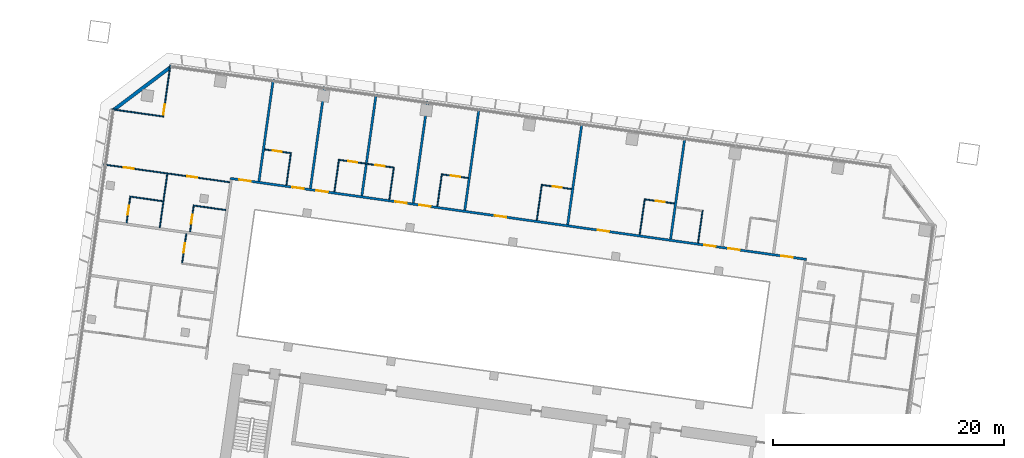
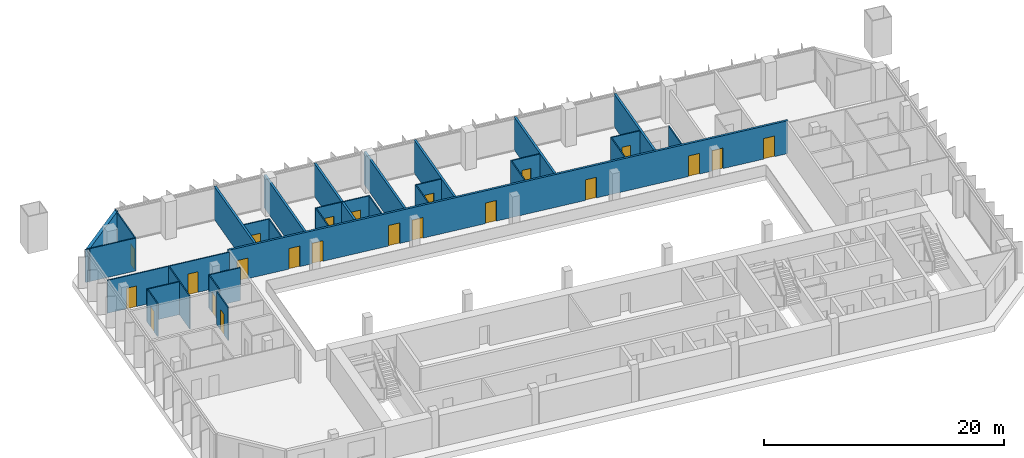
# One storey, part 16 of 25: 30 walls, 22 doors, 22 openings.
"""IFC4 building model written with IfcOpenShell, lengths in metres."""

from ifc_helpers import new_model, si_unit, direction, frame, frame_2d, origin, place, context, subcontext, project, spatial, rectangle, extrude, material, layer, layer_set, type_object, element, fill, save


model = new_model("IFC4")

# Units and contexts
model_context = context("Model", 3, precision=1e-05, world=origin(), true_north=direction((0.0, 1.0)))
body_context = subcontext(model_context, "Body", "Model", "MODEL_VIEW")
ifc_project = project(units=[si_unit("LENGTHUNIT", "METRE"), si_unit("AREAUNIT", "SQUARE_METRE"), si_unit("VOLUMEUNIT", "CUBIC_METRE"), si_unit("PLANEANGLEUNIT", "RADIAN"), si_unit("MASSUNIT", "GRAM", prefix="KILO")], contexts=[model_context])

# Site, building, storey
site_placement = place(None, origin())
site = spatial("IfcSite", under=ifc_project, at=site_placement, CompositionType="ELEMENT")
building_placement = place(site_placement, origin())
building = spatial("IfcBuilding", under=site, at=building_placement, Name="Mirante Cascada Hotel Towers", CompositionType="ELEMENT")
storey_placement = place(building_placement, frame((0.0, 0.0, 73.7)))
storey = spatial("IfcBuildingStorey", under=building, at=storey_placement, Name="L15", CompositionType="ELEMENT", Elevation=73.7)

# Wall, openings, doors
ifc_material_1 = material(Name="Fire-rated plasterboard on metal studs")
ifc_layer_1 = layer(ifc_material_1, 0.2)
ifc_layer_set_1 = layer_set([ifc_layer_1], Name="Compartment wall 200 EI 120")
wall_type_1 = type_object("IfcWallType", Name="Compartment wall 200 EI 120", PredefinedType="PARTITIONING", material=ifc_layer_set_1)
wall_1_placement = place(storey_placement, frame((-89.0146, 16.3922, 0.0), z_axis=(0.0, 0.0, 1.0), x_axis=(0.9902681, -0.1391727, 0.0)))
wall_1 = element("IfcWall", 1, at=wall_1_placement, inside=storey, type_object=wall_type_1, Name="Wall 1-L15-19", PredefinedType="PARTITIONING", context=body_context, shape_type="SweptSolid", body=[
    extrude(rectangle(XDim=50.4, YDim=0.2, at=frame_2d((25.2, 0.0))), origin(), (0.0, 0.0, 1.0), 3.35),
])
opening_1_placement = place(wall_1_placement, frame((48.2, 0.0, 0.0)))
opening_1 = element("IfcOpeningElement", 2, at=opening_1_placement, cuts=wall_1, Name="Opening D1-L15-11", PredefinedType="OPENING", context=body_context, shape_type="SweptSolid", body=[
    extrude(rectangle(XDim=1.0, YDim=2.1, at=frame_2d((0.5, 1.05))), frame((0.0, 0.1, 0.0), z_axis=(0.0, -1.0, 0.0), x_axis=(1.0, 0.0, 0.0)), (0.0, 0.0, 1.0), 0.2),
])
opening_2_placement = place(wall_1_placement, frame((43.55, 0.0, 0.0)))
opening_2 = element("IfcOpeningElement", 3, at=opening_2_placement, cuts=wall_1, Name="Opening D1-L15-12", PredefinedType="OPENING", context=body_context, shape_type="SweptSolid", body=[
    extrude(rectangle(XDim=1.0, YDim=2.1, at=frame_2d((0.5, 1.05))), frame((0.0, 0.1, 0.0), z_axis=(0.0, -1.0, 0.0), x_axis=(1.0, 0.0, 0.0)), (0.0, 0.0, 1.0), 0.2),
])
opening_3_placement = place(wall_1_placement, frame((41.45, 0.0, 0.0)))
opening_3 = element("IfcOpeningElement", 4, at=opening_3_placement, cuts=wall_1, Name="Opening D1-L15-13", PredefinedType="OPENING", context=body_context, shape_type="SweptSolid", body=[
    extrude(rectangle(XDim=1.0, YDim=2.1, at=frame_2d((0.5, 1.05))), frame((0.0, 0.1, 0.0), z_axis=(0.0, -1.0, 0.0), x_axis=(1.0, 0.0, 0.0)), (0.0, 0.0, 1.0), 0.2),
])
opening_4_placement = place(wall_1_placement, frame((32.15, 0.0, 0.0)))
opening_4 = element("IfcOpeningElement", 5, at=opening_4_placement, cuts=wall_1, Name="Opening D1-L15-14", PredefinedType="OPENING", context=body_context, shape_type="SweptSolid", body=[
    extrude(rectangle(XDim=1.0, YDim=2.1, at=frame_2d((0.5, 1.05))), frame((0.0, 0.1, 0.0), z_axis=(0.0, -1.0, 0.0), x_axis=(1.0, 0.0, 0.0)), (0.0, 0.0, 1.0), 0.2),
])
opening_5_placement = place(wall_1_placement, frame((23.15, 0.0, 0.0)))
opening_5 = element("IfcOpeningElement", 6, at=opening_5_placement, cuts=wall_1, Name="Opening D1-L15-15", PredefinedType="OPENING", context=body_context, shape_type="SweptSolid", body=[
    extrude(rectangle(XDim=1.0, YDim=2.1, at=frame_2d((0.5, 1.05))), frame((0.0, 0.1, 0.0), z_axis=(0.0, -1.0, 0.0), x_axis=(1.0, 0.0, 0.0)), (0.0, 0.0, 1.0), 0.2),
])
opening_6_placement = place(wall_1_placement, frame((16.55, 0.0, 0.0)))
opening_6 = element("IfcOpeningElement", 7, at=opening_6_placement, cuts=wall_1, Name="Opening D1-L15-16", PredefinedType="OPENING", context=body_context, shape_type="SweptSolid", body=[
    extrude(rectangle(XDim=1.0, YDim=2.1, at=frame_2d((0.5, 1.05))), frame((0.0, 0.1, 0.0), z_axis=(0.0, -1.0, 0.0), x_axis=(1.0, 0.0, 0.0)), (0.0, 0.0, 1.0), 0.2),
])
opening_7_placement = place(wall_1_placement, frame((14.45, 0.0, 0.0)))
opening_7 = element("IfcOpeningElement", 8, at=opening_7_placement, cuts=wall_1, Name="Opening D1-L15-17", PredefinedType="OPENING", context=body_context, shape_type="SweptSolid", body=[
    extrude(rectangle(XDim=1.0, YDim=2.1, at=frame_2d((0.5, 1.05))), frame((0.0, 0.1, 0.0), z_axis=(0.0, -1.0, 0.0), x_axis=(1.0, 0.0, 0.0)), (0.0, 0.0, 1.0), 0.2),
])
opening_8_placement = place(wall_1_placement, frame((7.55, 0.0, 0.0)))
opening_8 = element("IfcOpeningElement", 9, at=opening_8_placement, cuts=wall_1, Name="Opening D1-L15-18", PredefinedType="OPENING", context=body_context, shape_type="SweptSolid", body=[
    extrude(rectangle(XDim=1.0, YDim=2.1, at=frame_2d((0.5, 1.05))), frame((0.0, 0.1, 0.0), z_axis=(0.0, -1.0, 0.0), x_axis=(1.0, 0.0, 0.0)), (0.0, 0.0, 1.0), 0.2),
])
opening_9_placement = place(wall_1_placement, frame((5.45, 0.0, 0.0)))
opening_9 = element("IfcOpeningElement", 10, at=opening_9_placement, cuts=wall_1, Name="Opening D1-L15-19", PredefinedType="OPENING", context=body_context, shape_type="SweptSolid", body=[
    extrude(rectangle(XDim=1.0, YDim=2.1, at=frame_2d((0.5, 1.05))), frame((0.0, 0.1, 0.0), z_axis=(0.0, -1.0, 0.0), x_axis=(1.0, 0.0, 0.0)), (0.0, 0.0, 1.0), 0.2),
])
opening_10_placement = place(wall_1_placement, frame((0.8, 0.0, 0.0)))
opening_10 = element("IfcOpeningElement", 11, at=opening_10_placement, cuts=wall_1, Name="Opening D1-L15-20", PredefinedType="OPENING", context=body_context, shape_type="SweptSolid", body=[
    extrude(rectangle(XDim=1.0, YDim=2.1, at=frame_2d((0.5, 1.05))), frame((0.0, 0.1, 0.0), z_axis=(0.0, -1.0, 0.0), x_axis=(1.0, 0.0, 0.0)), (0.0, 0.0, 1.0), 0.2),
])
ifc_material_2 = material(Name="Fire-rated timber door leaf", Category="wood")
door_type_1 = type_object("IfcDoorType", Name="Entrance door DG1 1000x2100 EI 60", OperationType="SINGLE_SWING_LEFT", PredefinedType="DOOR", material=ifc_material_2)
door_1_placement = place(opening_1_placement, origin())
door_1 = element("IfcDoor", 12, at=door_1_placement, inside=storey, type_object=door_type_1, Name="Door D1-L15-11", OperationType="SINGLE_SWING_LEFT", OverallHeight=2.1, OverallWidth=1.0, PredefinedType="DOOR", context=body_context, shape_type="SweptSolid", body=[
    extrude(rectangle(XDim=1.0, YDim=2.1, at=frame_2d((0.5, 1.05))), frame((0.0, 0.025, 0.0), z_axis=(0.0, -1.0, 0.0), x_axis=(1.0, 0.0, 0.0)), (0.0, 0.0, 1.0), 0.05),
])
fill(opening_1, door_1)
door_2_placement = place(opening_2_placement, origin())
door_2 = element("IfcDoor", 13, at=door_2_placement, inside=storey, type_object=door_type_1, Name="Door D1-L15-12", OperationType="SINGLE_SWING_LEFT", OverallHeight=2.1, OverallWidth=1.0, PredefinedType="DOOR", context=body_context, shape_type="SweptSolid", body=[
    extrude(rectangle(XDim=1.0, YDim=2.1, at=frame_2d((0.5, 1.05))), frame((0.0, 0.025, 0.0), z_axis=(0.0, -1.0, 0.0), x_axis=(1.0, 0.0, 0.0)), (0.0, 0.0, 1.0), 0.05),
])
fill(opening_2, door_2)
door_3_placement = place(opening_3_placement, origin())
door_3 = element("IfcDoor", 14, at=door_3_placement, inside=storey, type_object=door_type_1, Name="Door D1-L15-13", OperationType="SINGLE_SWING_LEFT", OverallHeight=2.1, OverallWidth=1.0, PredefinedType="DOOR", context=body_context, shape_type="SweptSolid", body=[
    extrude(rectangle(XDim=1.0, YDim=2.1, at=frame_2d((0.5, 1.05))), frame((0.0, 0.025, 0.0), z_axis=(0.0, -1.0, 0.0), x_axis=(1.0, 0.0, 0.0)), (0.0, 0.0, 1.0), 0.05),
])
fill(opening_3, door_3)
door_4_placement = place(opening_4_placement, origin())
door_4 = element("IfcDoor", 15, at=door_4_placement, inside=storey, type_object=door_type_1, Name="Door D1-L15-14", OperationType="SINGLE_SWING_LEFT", OverallHeight=2.1, OverallWidth=1.0, PredefinedType="DOOR", context=body_context, shape_type="SweptSolid", body=[
    extrude(rectangle(XDim=1.0, YDim=2.1, at=frame_2d((0.5, 1.05))), frame((0.0, 0.025, 0.0), z_axis=(0.0, -1.0, 0.0), x_axis=(1.0, 0.0, 0.0)), (0.0, 0.0, 1.0), 0.05),
])
fill(opening_4, door_4)
door_5_placement = place(opening_5_placement, origin())
door_5 = element("IfcDoor", 16, at=door_5_placement, inside=storey, type_object=door_type_1, Name="Door D1-L15-15", OperationType="SINGLE_SWING_LEFT", OverallHeight=2.1, OverallWidth=1.0, PredefinedType="DOOR", context=body_context, shape_type="SweptSolid", body=[
    extrude(rectangle(XDim=1.0, YDim=2.1, at=frame_2d((0.5, 1.05))), frame((0.0, 0.025, 0.0), z_axis=(0.0, -1.0, 0.0), x_axis=(1.0, 0.0, 0.0)), (0.0, 0.0, 1.0), 0.05),
])
fill(opening_5, door_5)
door_6_placement = place(opening_6_placement, origin())
door_6 = element("IfcDoor", 17, at=door_6_placement, inside=storey, type_object=door_type_1, Name="Door D1-L15-16", OperationType="SINGLE_SWING_LEFT", OverallHeight=2.1, OverallWidth=1.0, PredefinedType="DOOR", context=body_context, shape_type="SweptSolid", body=[
    extrude(rectangle(XDim=1.0, YDim=2.1, at=frame_2d((0.5, 1.05))), frame((0.0, 0.025, 0.0), z_axis=(0.0, -1.0, 0.0), x_axis=(1.0, 0.0, 0.0)), (0.0, 0.0, 1.0), 0.05),
])
fill(opening_6, door_6)
door_7_placement = place(opening_7_placement, origin())
door_7 = element("IfcDoor", 18, at=door_7_placement, inside=storey, type_object=door_type_1, Name="Door D1-L15-17", OperationType="SINGLE_SWING_LEFT", OverallHeight=2.1, OverallWidth=1.0, PredefinedType="DOOR", context=body_context, shape_type="SweptSolid", body=[
    extrude(rectangle(XDim=1.0, YDim=2.1, at=frame_2d((0.5, 1.05))), frame((0.0, 0.025, 0.0), z_axis=(0.0, -1.0, 0.0), x_axis=(1.0, 0.0, 0.0)), (0.0, 0.0, 1.0), 0.05),
])
fill(opening_7, door_7)
door_8_placement = place(opening_8_placement, origin())
door_8 = element("IfcDoor", 19, at=door_8_placement, inside=storey, type_object=door_type_1, Name="Door D1-L15-18", OperationType="SINGLE_SWING_LEFT", OverallHeight=2.1, OverallWidth=1.0, PredefinedType="DOOR", context=body_context, shape_type="SweptSolid", body=[
    extrude(rectangle(XDim=1.0, YDim=2.1, at=frame_2d((0.5, 1.05))), frame((0.0, 0.025, 0.0), z_axis=(0.0, -1.0, 0.0), x_axis=(1.0, 0.0, 0.0)), (0.0, 0.0, 1.0), 0.05),
])
fill(opening_8, door_8)
door_9_placement = place(opening_9_placement, origin())
door_9 = element("IfcDoor", 20, at=door_9_placement, inside=storey, type_object=door_type_1, Name="Door D1-L15-19", OperationType="SINGLE_SWING_LEFT", OverallHeight=2.1, OverallWidth=1.0, PredefinedType="DOOR", context=body_context, shape_type="SweptSolid", body=[
    extrude(rectangle(XDim=1.0, YDim=2.1, at=frame_2d((0.5, 1.05))), frame((0.0, 0.025, 0.0), z_axis=(0.0, -1.0, 0.0), x_axis=(1.0, 0.0, 0.0)), (0.0, 0.0, 1.0), 0.05),
])
fill(opening_9, door_9)
door_10_placement = place(opening_10_placement, origin())
door_10 = element("IfcDoor", 21, at=door_10_placement, inside=storey, type_object=door_type_1, Name="Door D1-L15-20", OperationType="SINGLE_SWING_LEFT", OverallHeight=2.1, OverallWidth=1.0, PredefinedType="DOOR", context=body_context, shape_type="SweptSolid", body=[
    extrude(rectangle(XDim=1.0, YDim=2.1, at=frame_2d((0.5, 1.05))), frame((0.0, 0.025, 0.0), z_axis=(0.0, -1.0, 0.0), x_axis=(1.0, 0.0, 0.0)), (0.0, 0.0, 1.0), 0.05),
])
fill(opening_10, door_10)

# Walls
wall_2_placement = place(storey_placement, frame((-49.6367, 19.9465, 0.0), z_axis=(0.0, 0.0, 1.0), x_axis=(-0.1391794, -0.9902672, 0.0)))
element("IfcWall", 22, at=wall_2_placement, inside=storey, type_object=wall_type_1, Name="Wall 1-L15-39", PredefinedType="PARTITIONING", context=body_context, shape_type="SweptSolid", body=[
    extrude(rectangle(XDim=8.9, YDim=0.2, at=frame_2d((4.45, 0.0))), origin(), (0.0, 0.0, 1.0), 3.35),
])
wall_3_placement = place(storey_placement, frame((-58.5492, 21.199, 0.0), z_axis=(0.0, 0.0, 1.0), x_axis=(-0.13917, -0.9902685, 0.0)))
element("IfcWall", 23, at=wall_3_placement, inside=storey, type_object=wall_type_1, Name="Wall 1-L15-41", PredefinedType="PARTITIONING", context=body_context, shape_type="SweptSolid", body=[
    extrude(rectangle(XDim=8.8999, YDim=0.2, at=frame_2d((4.45, 0.0))), origin(), (0.0, 0.0, 1.0), 3.35),
])
for number, where, z_axis, x_axis, name in (
    (24, (-67.4616, 22.4516, 0.0), (0.0, 0.0, 1.0), (-0.1391684, -0.9902687, 0.0), "Wall 1-L15-43"),
    (25, (-71.9178, 23.0779, 0.0), (0.0, 0.0, 1.0), (-0.1391684, -0.9902687, 0.0), "Wall 1-L15-45"),
    (26, (-76.374, 23.7042, 0.0), (0.0, 0.0, 1.0), (-0.1391684, -0.9902687, 0.0), "Wall 1-L15-47"),
):
    element("IfcWall", number, at=place(storey_placement, frame(where, z_axis=z_axis, x_axis=x_axis)), inside=storey, type_object=wall_type_1, Name=name, PredefinedType="PARTITIONING", context=body_context, shape_type="SweptSolid", body=[
        extrude(rectangle(XDim=8.9, YDim=0.2, at=frame_2d((4.45, 0.0))), origin(), (0.0, 0.0, 1.0), 3.35),
    ])
wall_4_placement = place(storey_placement, frame((-80.8302, 24.3304, 0.0), z_axis=(0.0, 0.0, 1.0), x_axis=(-0.13917, -0.9902685, 0.0)))
element("IfcWall", 27, at=wall_4_placement, inside=storey, type_object=wall_type_1, Name="Wall 1-L15-49", PredefinedType="PARTITIONING", context=body_context, shape_type="SweptSolid", body=[
    extrude(rectangle(XDim=8.8999, YDim=0.2, at=frame_2d((4.45, 0.0))), origin(), (0.0, 0.0, 1.0), 3.35),
])
wall_5_placement = place(storey_placement, frame((-85.2864, 24.9567, 0.0), z_axis=(0.0, 0.0, 1.0), x_axis=(-0.1391684, -0.9902687, 0.0)))
element("IfcWall", 28, at=wall_5_placement, inside=storey, type_object=wall_type_1, Name="Wall 1-L15-51", PredefinedType="PARTITIONING", context=body_context, shape_type="SweptSolid", body=[
    extrude(rectangle(XDim=8.9, YDim=0.2, at=frame_2d((4.45, 0.0))), origin(), (0.0, 0.0, 1.0), 3.35),
])
ifc_material_3 = material(Name="Plasterboard on metal studs")
ifc_layer_2 = layer(ifc_material_3, 0.1)
ifc_layer_set_2 = layer_set([ifc_layer_2], Name="Partition 100")
wall_type_2 = type_object("IfcWallType", Name="Partition 100", PredefinedType="PARTITIONING", material=ifc_layer_set_2)
wall_6_placement = place(storey_placement, frame((-92.2219, 14.0491, 0.0), z_axis=(0.0, 0.0, 1.0), x_axis=(0.9902697, -0.1391613, 0.0)))
element("IfcWall", 29, at=wall_6_placement, inside=storey, type_object=wall_type_2, Name="Wall 1-L15-15", PredefinedType="PARTITIONING", context=body_context, shape_type="SweptSolid", body=[
    extrude(rectangle(XDim=2.8499, YDim=0.1, at=frame_2d((1.425, 0.0))), origin(), (0.0, 0.0, 1.0), 3.35),
])
wall_7_placement = place(storey_placement, frame((-94.8461, 14.4179, 0.0), z_axis=(0.0, 0.0, 1.0), x_axis=(-0.9902683, 0.1391714, 0.0)))
element("IfcWall", 30, at=wall_7_placement, inside=storey, type_object=wall_type_2, Name="Wall 1-L15-16", PredefinedType="PARTITIONING", context=body_context, shape_type="SweptSolid", body=[
    extrude(rectangle(XDim=2.9, YDim=0.1, at=frame_2d((1.45, 0.0))), origin(), (0.0, 0.0, 1.0), 3.35),
])

# Wall, openings, doors
wall_8_placement = place(storey_placement, frame((-89.061, 16.0622, 0.0), z_axis=(0.0, 0.0, 1.0), x_axis=(-0.9902682, 0.1391721, 0.0)))
wall_8 = element("IfcWall", 31, at=wall_8_placement, inside=storey, type_object=wall_type_2, Name="Wall 1-L15-18", PredefinedType="PARTITIONING", context=body_context, shape_type="SweptSolid", body=[
    extrude(rectangle(XDim=11.0001, YDim=0.1, at=frame_2d((5.5, 0.0))), origin(), (0.0, 0.0, 1.0), 3.35),
])
opening_11_placement = place(wall_8_placement, frame((2.825, 0.0, 0.0)))
opening_11 = element("IfcOpeningElement", 32, at=opening_11_placement, cuts=wall_8, Name="Opening D1-L15-09", PredefinedType="OPENING", context=body_context, shape_type="SweptSolid", body=[
    extrude(rectangle(XDim=0.9, YDim=2.1, at=frame_2d((0.45, 1.05))), frame((0.0, 0.05, 0.0), z_axis=(0.0, -1.0, 0.0), x_axis=(1.0, 0.0, 0.0)), (0.0, 0.0, 1.0), 0.1),
])
opening_12_placement = place(wall_8_placement, frame((8.375, 0.0, 0.0)))
opening_12 = element("IfcOpeningElement", 33, at=opening_12_placement, cuts=wall_8, Name="Opening D1-L15-10", PredefinedType="OPENING", context=body_context, shape_type="SweptSolid", body=[
    extrude(rectangle(XDim=0.9, YDim=2.1, at=frame_2d((0.45, 1.05))), frame((0.0, 0.05, 0.0), z_axis=(0.0, -1.0, 0.0), x_axis=(1.0, 0.0, 0.0)), (0.0, 0.0, 1.0), 0.1),
])
ifc_material_4 = material(Name="Timber door leaf", Category="wood")
door_type_2 = type_object("IfcDoorType", Name="Room door DG3 900x2100", OperationType="SINGLE_SWING_LEFT", PredefinedType="DOOR", material=ifc_material_4)
door_11_placement = place(opening_11_placement, frame((0.9, 0.0, 0.0), z_axis=(0.0, 0.0, 1.0), x_axis=(-1.0, 0.0, 0.0)))
door_11 = element("IfcDoor", 34, at=door_11_placement, inside=storey, type_object=door_type_2, Name="Door D1-L15-09", OperationType="SINGLE_SWING_RIGHT", OverallHeight=2.1, OverallWidth=0.9, PredefinedType="DOOR", context=body_context, shape_type="SweptSolid", body=[
    extrude(rectangle(XDim=0.9, YDim=2.1, at=frame_2d((0.45, 1.05))), frame((0.0, 0.025, 0.0), z_axis=(0.0, -1.0, 0.0), x_axis=(1.0, 0.0, 0.0)), (0.0, 0.0, 1.0), 0.05),
])
fill(opening_11, door_11)
door_12_placement = place(opening_12_placement, frame((0.9, 0.0, 0.0), z_axis=(0.0, 0.0, 1.0), x_axis=(-1.0, 0.0, 0.0)))
door_12 = element("IfcDoor", 35, at=door_12_placement, inside=storey, type_object=door_type_2, Name="Door D1-L15-10", OperationType="SINGLE_SWING_RIGHT", OverallHeight=2.1, OverallWidth=0.9, PredefinedType="DOOR", context=body_context, shape_type="SweptSolid", body=[
    extrude(rectangle(XDim=0.9, YDim=2.1, at=frame_2d((0.45, 1.05))), frame((0.0, 0.025, 0.0), z_axis=(0.0, -1.0, 0.0), x_axis=(1.0, 0.0, 0.0)), (0.0, 0.0, 1.0), 0.05),
])
fill(opening_12, door_12)

# Wall, opening, door
wall_9_placement = place(storey_placement, frame((-68.4096, 16.4249, 0.0), z_axis=(0.0, 0.0, 1.0), x_axis=(-0.9902705, 0.1391561, 0.0)))
wall_9 = element("IfcWall", 36, at=wall_9_placement, inside=storey, type_object=wall_type_2, Name="Wall 1-L15-22", PredefinedType="PARTITIONING", context=body_context, shape_type="SweptSolid", body=[
    extrude(rectangle(XDim=2.25, YDim=0.1, at=frame_2d((1.125, 0.0))), origin(), (0.0, 0.0, 1.0), 3.35),
])
opening_13_placement = place(wall_9_placement, frame((0.7, 0.0, 0.0)))
opening_13 = element("IfcOpeningElement", 37, at=opening_13_placement, cuts=wall_9, Name="Opening D1-L15-23", PredefinedType="OPENING", context=body_context, shape_type="SweptSolid", body=[
    extrude(rectangle(XDim=0.8, YDim=2.1, at=frame_2d((0.4, 1.05))), frame((0.0, 0.05, 0.0), z_axis=(0.0, -1.0, 0.0), x_axis=(1.0, 0.0, 0.0)), (0.0, 0.0, 1.0), 0.1),
])
ifc_material_5 = material(Name="Timber door leaf", Category="wood")
door_type_3 = type_object("IfcDoorType", Name="Bathroom door DG4 800x2100", OperationType="SINGLE_SWING_LEFT", PredefinedType="DOOR", material=ifc_material_5)
door_13_placement = place(opening_13_placement, frame((0.8, 0.0, 0.0), z_axis=(0.0, 0.0, 1.0), x_axis=(-1.0, 0.0, 0.0)))
door_13 = element("IfcDoor", 38, at=door_13_placement, inside=storey, type_object=door_type_3, Name="Door D1-L15-23", OperationType="SINGLE_SWING_RIGHT", OverallHeight=2.1, OverallWidth=0.8, PredefinedType="DOOR", context=body_context, shape_type="SweptSolid", body=[
    extrude(rectangle(XDim=0.8, YDim=2.1, at=frame_2d((0.4, 1.05))), frame((0.0, 0.025, 0.0), z_axis=(0.0, -1.0, 0.0), x_axis=(1.0, 0.0, 0.0)), (0.0, 0.0, 1.0), 0.05),
])
fill(opening_13, door_13)

# Wall, openings, doors
wall_10_placement = place(storey_placement, frame((-79.6491, 18.0045, 0.0), z_axis=(0.0, 0.0, 1.0), x_axis=(0.9902694, -0.1391638, 0.0)))
wall_10 = element("IfcWall", 39, at=wall_10_placement, inside=storey, type_object=wall_type_2, Name="Wall 1-L15-23", PredefinedType="PARTITIONING", context=body_context, shape_type="SweptSolid", body=[
    extrude(rectangle(XDim=4.9, YDim=0.1, at=frame_2d((2.45, 0.0))), origin(), (0.0, 0.0, 1.0), 3.35),
])
opening_14_placement = place(wall_10_placement, frame((3.25, 0.0, 0.0)))
opening_14 = element("IfcOpeningElement", 40, at=opening_14_placement, cuts=wall_10, Name="Opening D1-L15-24", PredefinedType="OPENING", context=body_context, shape_type="SweptSolid", body=[
    extrude(rectangle(XDim=0.8, YDim=2.1, at=frame_2d((0.4, 1.05))), frame((0.0, 0.05, 0.0), z_axis=(0.0, -1.0, 0.0), x_axis=(1.0, 0.0, 0.0)), (0.0, 0.0, 1.0), 0.1),
])
opening_15_placement = place(wall_10_placement, frame((0.85, 0.0, 0.0)))
opening_15 = element("IfcOpeningElement", 41, at=opening_15_placement, cuts=wall_10, Name="Opening D1-L15-25", PredefinedType="OPENING", context=body_context, shape_type="SweptSolid", body=[
    extrude(rectangle(XDim=0.8, YDim=2.1, at=frame_2d((0.4, 1.05))), frame((0.0, 0.05, 0.0), z_axis=(0.0, -1.0, 0.0), x_axis=(1.0, 0.0, 0.0)), (0.0, 0.0, 1.0), 0.1),
])
door_14_placement = place(opening_14_placement, origin())
door_14 = element("IfcDoor", 42, at=door_14_placement, inside=storey, type_object=door_type_3, Name="Door D1-L15-24", OperationType="SINGLE_SWING_LEFT", OverallHeight=2.1, OverallWidth=0.8, PredefinedType="DOOR", context=body_context, shape_type="SweptSolid", body=[
    extrude(rectangle(XDim=0.8, YDim=2.1, at=frame_2d((0.4, 1.05))), frame((0.0, 0.025, 0.0), z_axis=(0.0, -1.0, 0.0), x_axis=(1.0, 0.0, 0.0)), (0.0, 0.0, 1.0), 0.05),
])
fill(opening_14, door_14)
door_15_placement = place(opening_15_placement, origin())
door_15 = element("IfcDoor", 43, at=door_15_placement, inside=storey, type_object=door_type_3, Name="Door D1-L15-25", OperationType="SINGLE_SWING_LEFT", OverallHeight=2.1, OverallWidth=0.8, PredefinedType="DOOR", context=body_context, shape_type="SweptSolid", body=[
    extrude(rectangle(XDim=0.8, YDim=2.1, at=frame_2d((0.4, 1.05))), frame((0.0, 0.025, 0.0), z_axis=(0.0, -1.0, 0.0), x_axis=(1.0, 0.0, 0.0)), (0.0, 0.0, 1.0), 0.05),
])
fill(opening_15, door_15)

# Wall, opening, door
wall_11_placement = place(storey_placement, frame((-83.8082, 18.589, 0.0), z_axis=(0.0, 0.0, 1.0), x_axis=(-0.9902643, 0.1391997, 0.0)))
wall_11 = element("IfcWall", 44, at=wall_11_placement, inside=storey, type_object=wall_type_2, Name="Wall 1-L15-24", PredefinedType="PARTITIONING", context=body_context, shape_type="SweptSolid", body=[
    extrude(rectangle(XDim=2.25, YDim=0.1, at=frame_2d((1.125, 0.0))), origin(), (0.0, 0.0, 1.0), 3.35),
])
opening_16_placement = place(wall_11_placement, frame((0.75, 0.0, 0.0)))
opening_16 = element("IfcOpeningElement", 45, at=opening_16_placement, cuts=wall_11, Name="Opening D1-L15-26", PredefinedType="OPENING", context=body_context, shape_type="SweptSolid", body=[
    extrude(rectangle(XDim=0.8, YDim=2.1, at=frame_2d((0.4, 1.05))), frame((0.0, 0.05, 0.0), z_axis=(0.0, -1.0, 0.0), x_axis=(1.0, 0.0, 0.0)), (0.0, 0.0, 1.0), 0.1),
])
door_16_placement = place(opening_16_placement, frame((0.8, 0.0, 0.0), z_axis=(0.0, 0.0, 1.0), x_axis=(-1.0, 0.0, 0.0)))
door_16 = element("IfcDoor", 46, at=door_16_placement, inside=storey, type_object=door_type_3, Name="Door D1-L15-26", OperationType="SINGLE_SWING_RIGHT", OverallHeight=2.1, OverallWidth=0.8, PredefinedType="DOOR", context=body_context, shape_type="SweptSolid", body=[
    extrude(rectangle(XDim=0.8, YDim=2.1, at=frame_2d((0.4, 1.05))), frame((0.0, 0.025, 0.0), z_axis=(0.0, -1.0, 0.0), x_axis=(1.0, 0.0, 0.0)), (0.0, 0.0, 1.0), 0.05),
])
fill(opening_16, door_16)

wall_12_placement = place(storey_placement, frame((-53.0682, 14.5717, 0.0), z_axis=(0.0, 0.0, 1.0), x_axis=(0.9902731, -0.1391371, 0.0)))
wall_12 = element("IfcWall", 47, at=wall_12_placement, inside=storey, type_object=wall_type_2, Name="Wall 1-L15-25", PredefinedType="PARTITIONING", context=body_context, shape_type="SweptSolid", body=[
    extrude(rectangle(XDim=2.55, YDim=0.1, at=frame_2d((1.275, 0.0))), origin(), (0.0, 0.0, 1.0), 3.35),
])
opening_17_placement = place(wall_12_placement, frame((0.9, 0.0, 0.0)))
opening_17 = element("IfcOpeningElement", 48, at=opening_17_placement, cuts=wall_12, Name="Opening D1-L15-27", PredefinedType="OPENING", context=body_context, shape_type="SweptSolid", body=[
    extrude(rectangle(XDim=0.8, YDim=2.1, at=frame_2d((0.4, 1.05))), frame((0.0, 0.05, 0.0), z_axis=(0.0, -1.0, 0.0), x_axis=(1.0, 0.0, 0.0)), (0.0, 0.0, 1.0), 0.1),
])
door_17_placement = place(opening_17_placement, origin())
door_17 = element("IfcDoor", 49, at=door_17_placement, inside=storey, type_object=door_type_3, Name="Door D1-L15-27", OperationType="SINGLE_SWING_LEFT", OverallHeight=2.1, OverallWidth=0.8, PredefinedType="DOOR", context=body_context, shape_type="SweptSolid", body=[
    extrude(rectangle(XDim=0.8, YDim=2.1, at=frame_2d((0.4, 1.05))), frame((0.0, 0.025, 0.0), z_axis=(0.0, -1.0, 0.0), x_axis=(1.0, 0.0, 0.0)), (0.0, 0.0, 1.0), 0.05),
])
fill(opening_17, door_17)

wall_13_placement = place(storey_placement, frame((-59.4554, 15.4694, 0.0), z_axis=(0.0, 0.0, 1.0), x_axis=(-0.9902677, 0.1391755, 0.0)))
wall_13 = element("IfcWall", 50, at=wall_13_placement, inside=storey, type_object=wall_type_2, Name="Wall 1-L15-26", PredefinedType="PARTITIONING", context=body_context, shape_type="SweptSolid", body=[
    extrude(rectangle(XDim=2.55, YDim=0.1, at=frame_2d((1.275, 0.0))), origin(), (0.0, 0.0, 1.0), 3.35),
])
opening_18_placement = place(wall_13_placement, frame((0.85, 0.0, 0.0)))
opening_18 = element("IfcOpeningElement", 51, at=opening_18_placement, cuts=wall_13, Name="Opening D1-L15-28", PredefinedType="OPENING", context=body_context, shape_type="SweptSolid", body=[
    extrude(rectangle(XDim=0.8, YDim=2.1, at=frame_2d((0.4, 1.05))), frame((0.0, 0.05, 0.0), z_axis=(0.0, -1.0, 0.0), x_axis=(1.0, 0.0, 0.0)), (0.0, 0.0, 1.0), 0.1),
])
door_18_placement = place(opening_18_placement, frame((0.8, 0.0, 0.0), z_axis=(0.0, 0.0, 1.0), x_axis=(-1.0, 0.0, 0.0)))
door_18 = element("IfcDoor", 52, at=door_18_placement, inside=storey, type_object=door_type_3, Name="Door D1-L15-28", OperationType="SINGLE_SWING_RIGHT", OverallHeight=2.1, OverallWidth=0.8, PredefinedType="DOOR", context=body_context, shape_type="SweptSolid", body=[
    extrude(rectangle(XDim=0.8, YDim=2.1, at=frame_2d((0.4, 1.05))), frame((0.0, 0.025, 0.0), z_axis=(0.0, -1.0, 0.0), x_axis=(1.0, 0.0, 0.0)), (0.0, 0.0, 1.0), 0.05),
])
fill(opening_18, door_18)

# Walls
wall_14_placement = place(storey_placement, frame((-94.7756, 21.7461, 0.0), z_axis=(0.0, 0.0, 1.0), x_axis=(-0.9902661, 0.1391871, 0.0)))
element("IfcWall", 53, at=wall_14_placement, inside=storey, type_object=wall_type_2, Name="Wall 1-L15-28", PredefinedType="PARTITIONING", context=body_context, shape_type="SweptSolid", body=[
    extrude(rectangle(XDim=4.55, YDim=0.1, at=frame_2d((2.275, 0.0))), origin(), (0.0, 0.0, 1.0), 3.35),
])
wall_15_placement = place(storey_placement, frame((-48.4987, 10.7991, 0.0), z_axis=(0.0, 0.0, 1.0), x_axis=(0.1391564, 0.9902704, 0.0)))
element("IfcWall", 54, at=wall_15_placement, inside=storey, type_object=wall_type_2, Name="Wall 1-L15-38", PredefinedType="PARTITIONING", context=body_context, shape_type="SweptSolid", body=[
    extrude(rectangle(XDim=2.85, YDim=0.1, at=frame_2d((1.425, 0.0))), origin(), (0.0, 0.0, 1.0), 3.35),
])
wall_16_placement = place(storey_placement, frame((-53.5491, 11.5089, 0.0), z_axis=(0.0, 0.0, 1.0), x_axis=(0.1391765, 0.9902676, 0.0)))
element("IfcWall", 55, at=wall_16_placement, inside=storey, type_object=wall_type_2, Name="Wall 1-L15-40", PredefinedType="PARTITIONING", context=body_context, shape_type="SweptSolid", body=[
    extrude(rectangle(XDim=3.15, YDim=0.1, at=frame_2d((1.575, 0.0))), origin(), (0.0, 0.0, 1.0), 3.35),
])
wall_17_placement = place(storey_placement, frame((-62.4615, 12.7614, 0.0), z_axis=(0.0, 0.0, 1.0), x_axis=(0.1391721, 0.9902682, 0.0)))
element("IfcWall", 56, at=wall_17_placement, inside=storey, type_object=wall_type_2, Name="Wall 1-L15-42", PredefinedType="PARTITIONING", context=body_context, shape_type="SweptSolid", body=[
    extrude(rectangle(XDim=3.1501, YDim=0.1, at=frame_2d((1.575, 0.0))), origin(), (0.0, 0.0, 1.0), 3.35),
])
wall_18_placement = place(storey_placement, frame((-71.0769, 13.9722, 0.0), z_axis=(0.0, 0.0, 1.0), x_axis=(0.1391909, 0.9902656, 0.0)))
element("IfcWall", 57, at=wall_18_placement, inside=storey, type_object=wall_type_2, Name="Wall 1-L15-44", PredefinedType="PARTITIONING", context=body_context, shape_type="SweptSolid", body=[
    extrude(rectangle(XDim=2.85, YDim=0.1, at=frame_2d((1.425, 0.0))), origin(), (0.0, 0.0, 1.0), 3.35),
])
for number, where, z_axis, x_axis, name in (
    (58, (-75.236, 14.5568, 0.0), (0.0, 0.0, 1.0), (0.1391657, 0.9902691, 0.0), "Wall 1-L15-46"),
    (59, (-79.9893, 15.2248, 0.0), (0.0, 0.0, 1.0), (0.1392013, 0.9902641, 0.0), "Wall 1-L15-48"),
):
    element("IfcWall", number, at=place(storey_placement, frame(where, z_axis=z_axis, x_axis=x_axis)), inside=storey, type_object=wall_type_2, Name=name, PredefinedType="PARTITIONING", context=body_context, shape_type="SweptSolid", body=[
        extrude(rectangle(XDim=2.75, YDim=0.1, at=frame_2d((1.375, 0.0))), origin(), (0.0, 0.0, 1.0), 3.35),
    ])
wall_19_placement = place(storey_placement, frame((-84.1484, 15.8093, 0.0), z_axis=(0.0, 0.0, 1.0), x_axis=(0.1391909, 0.9902656, 0.0)))
element("IfcWall", 60, at=wall_19_placement, inside=storey, type_object=wall_type_2, Name="Wall 1-L15-50", PredefinedType="PARTITIONING", context=body_context, shape_type="SweptSolid", body=[
    extrude(rectangle(XDim=2.85, YDim=0.1, at=frame_2d((1.425, 0.0))), origin(), (0.0, 0.0, 1.0), 3.35),
])

# Wall, opening, door
wall_20_placement = place(storey_placement, frame((-92.4925, 11.7645, 0.0), z_axis=(0.0, 0.0, 1.0), x_axis=(0.1391561, 0.9902705, 0.0)))
wall_20 = element("IfcWall", 61, at=wall_20_placement, inside=storey, type_object=wall_type_2, Name="Wall 1-L15-54", PredefinedType="PARTITIONING", context=body_context, shape_type="SweptSolid", body=[
    extrude(rectangle(XDim=2.25, YDim=0.1, at=frame_2d((1.125, 0.0))), origin(), (0.0, 0.0, 1.0), 3.35),
])
opening_19_placement = place(wall_20_placement, frame((0.7, 0.0, 0.0)))
opening_19 = element("IfcOpeningElement", 62, at=opening_19_placement, cuts=wall_20, Name="Opening D1-L15-37", PredefinedType="OPENING", context=body_context, shape_type="SweptSolid", body=[
    extrude(rectangle(XDim=0.8, YDim=2.1, at=frame_2d((0.4, 1.05))), frame((0.0, 0.05, 0.0), z_axis=(0.0, -1.0, 0.0), x_axis=(1.0, 0.0, 0.0)), (0.0, 0.0, 1.0), 0.1),
])
door_19_placement = place(opening_19_placement, frame((0.8, 0.0, 0.0), z_axis=(0.0, 0.0, 1.0), x_axis=(-1.0, 0.0, 0.0)))
door_19 = element("IfcDoor", 63, at=door_19_placement, inside=storey, type_object=door_type_3, Name="Door D1-L15-37", OperationType="SINGLE_SWING_RIGHT", OverallHeight=2.1, OverallWidth=0.8, PredefinedType="DOOR", context=body_context, shape_type="SweptSolid", body=[
    extrude(rectangle(XDim=0.8, YDim=2.1, at=frame_2d((0.4, 1.05))), frame((0.0, 0.025, 0.0), z_axis=(0.0, -1.0, 0.0), x_axis=(1.0, 0.0, 0.0)), (0.0, 0.0, 1.0), 0.05),
])
fill(opening_19, door_19)

wall_21_placement = place(storey_placement, frame((-92.8174, 11.6082, 0.0), z_axis=(0.0, 0.0, 1.0), x_axis=(-0.1391755, -0.9902677, 0.0)))
wall_21 = element("IfcWall", 64, at=wall_21_placement, inside=storey, type_object=wall_type_2, Name="Wall 1-L15-55", PredefinedType="PARTITIONING", context=body_context, shape_type="SweptSolid", body=[
    extrude(rectangle(XDim=2.55, YDim=0.1, at=frame_2d((1.275, 0.0))), origin(), (0.0, 0.0, 1.0), 3.35),
])
opening_20_placement = place(wall_21_placement, frame((0.85, 0.0, 0.0)))
opening_20 = element("IfcOpeningElement", 65, at=opening_20_placement, cuts=wall_21, Name="Opening D1-L15-38", PredefinedType="OPENING", context=body_context, shape_type="SweptSolid", body=[
    extrude(rectangle(XDim=0.8, YDim=2.1, at=frame_2d((0.4, 1.05))), frame((0.0, 0.05, 0.0), z_axis=(0.0, -1.0, 0.0), x_axis=(1.0, 0.0, 0.0)), (0.0, 0.0, 1.0), 0.1),
])
door_20_placement = place(opening_20_placement, frame((0.8, 0.0, 0.0), z_axis=(0.0, 0.0, 1.0), x_axis=(-1.0, 0.0, 0.0)))
door_20 = element("IfcDoor", 66, at=door_20_placement, inside=storey, type_object=door_type_3, Name="Door D1-L15-38", OperationType="SINGLE_SWING_RIGHT", OverallHeight=2.1, OverallWidth=0.8, PredefinedType="DOOR", context=body_context, shape_type="SweptSolid", body=[
    extrude(rectangle(XDim=0.8, YDim=2.1, at=frame_2d((0.4, 1.05))), frame((0.0, 0.025, 0.0), z_axis=(0.0, -1.0, 0.0), x_axis=(1.0, 0.0, 0.0)), (0.0, 0.0, 1.0), 0.05),
])
fill(opening_20, door_20)

# Wall
wall_22_placement = place(storey_placement, frame((-94.4649, 16.7712, 0.0), z_axis=(0.0, 0.0, 1.0), x_axis=(-0.1391701, -0.9902685, 0.0)))
element("IfcWall", 67, at=wall_22_placement, inside=storey, type_object=wall_type_2, Name="Wall 1-L15-57", PredefinedType="PARTITIONING", context=body_context, shape_type="SweptSolid", body=[
    extrude(rectangle(XDim=4.6835, YDim=0.1, at=frame_2d((2.3418, 0.0))), origin(), (0.0, 0.0, 1.0), 3.35),
])

# Wall, opening, door
wall_23_placement = place(storey_placement, frame((-94.8181, 21.8026, 0.0), z_axis=(0.0, 0.0, 1.0), x_axis=(0.1391684, 0.9902687, 0.0)))
wall_23 = element("IfcWall", 68, at=wall_23_placement, inside=storey, type_object=wall_type_2, Name="Wall 1-L15-58", PredefinedType="PARTITIONING", context=body_context, shape_type="SweptSolid", body=[
    extrude(rectangle(XDim=4.45, YDim=0.1, at=frame_2d((2.225, 0.0))), origin(), (0.0, 0.0, 1.0), 3.35),
])
opening_21_placement = place(wall_23_placement, frame((0.1, 0.0, 0.0)))
opening_21 = element("IfcOpeningElement", 69, at=opening_21_placement, cuts=wall_23, Name="Opening D1-L15-40", PredefinedType="OPENING", context=body_context, shape_type="SweptSolid", body=[
    extrude(rectangle(XDim=0.9, YDim=2.1, at=frame_2d((0.45, 1.05))), frame((0.0, 0.05, 0.0), z_axis=(0.0, -1.0, 0.0), x_axis=(1.0, 0.0, 0.0)), (0.0, 0.0, 1.0), 0.1),
])
door_21_placement = place(opening_21_placement, frame((0.9, 0.0, 0.0), z_axis=(0.0, 0.0, 1.0), x_axis=(-1.0, 0.0, 0.0)))
door_21 = element("IfcDoor", 70, at=door_21_placement, inside=storey, type_object=door_type_2, Name="Door D1-L15-40", OperationType="SINGLE_SWING_RIGHT", OverallHeight=2.1, OverallWidth=0.9, PredefinedType="DOOR", context=body_context, shape_type="SweptSolid", body=[
    extrude(rectangle(XDim=0.9, YDim=2.1, at=frame_2d((0.45, 1.05))), frame((0.0, 0.025, 0.0), z_axis=(0.0, -1.0, 0.0), x_axis=(1.0, 0.0, 0.0)), (0.0, 0.0, 1.0), 0.05),
])
fill(opening_21, door_21)

wall_24_placement = place(storey_placement, frame((-97.9885, 12.5369, 0.0), z_axis=(0.0, 0.0, 1.0), x_axis=(0.1391561, 0.9902705, 0.0)))
wall_24 = element("IfcWall", 71, at=wall_24_placement, inside=storey, type_object=wall_type_2, Name="Wall 1-L15-60", PredefinedType="PARTITIONING", context=body_context, shape_type="SweptSolid", body=[
    extrude(rectangle(XDim=2.25, YDim=0.1, at=frame_2d((1.125, 0.0))), origin(), (0.0, 0.0, 1.0), 3.35),
])
opening_22_placement = place(wall_24_placement, frame((0.7, 0.0, 0.0)))
opening_22 = element("IfcOpeningElement", 72, at=opening_22_placement, cuts=wall_24, Name="Opening D1-L15-42", PredefinedType="OPENING", context=body_context, shape_type="SweptSolid", body=[
    extrude(rectangle(XDim=0.8, YDim=2.1, at=frame_2d((0.4, 1.05))), frame((0.0, 0.05, 0.0), z_axis=(0.0, -1.0, 0.0), x_axis=(1.0, 0.0, 0.0)), (0.0, 0.0, 1.0), 0.1),
])
door_22_placement = place(opening_22_placement, frame((0.8, 0.0, 0.0), z_axis=(0.0, 0.0, 1.0), x_axis=(-1.0, 0.0, 0.0)))
door_22 = element("IfcDoor", 73, at=door_22_placement, inside=storey, type_object=door_type_3, Name="Door D1-L15-42", OperationType="SINGLE_SWING_RIGHT", OverallHeight=2.1, OverallWidth=0.8, PredefinedType="DOOR", context=body_context, shape_type="SweptSolid", body=[
    extrude(rectangle(XDim=0.8, YDim=2.1, at=frame_2d((0.4, 1.05))), frame((0.0, 0.025, 0.0), z_axis=(0.0, -1.0, 0.0), x_axis=(1.0, 0.0, 0.0)), (0.0, 0.0, 1.0), 0.05),
])
fill(opening_22, door_22)

# Wall
ifc_material_6 = material(Name="Precast concrete C40/50", Category="concrete")
ifc_layer_3 = layer(ifc_material_6, 0.3)
ifc_layer_set_3 = layer_set([ifc_layer_3], Name="Precast concrete C40/50 cladding wall 300")
wall_type_3 = type_object("IfcWallType", Name="Precast concrete C40/50 cladding wall 300", PredefinedType="STANDARD", material=ifc_layer_set_3)
wall_25_placement = place(storey_placement, frame((-99.0919, 22.3343, 0.0), z_axis=(0.0, 0.0, 1.0), x_axis=(0.7986362, 0.6018141, 0.0)))
element("IfcWall", 74, at=wall_25_placement, inside=storey, type_object=wall_type_3, Name="Corner cladding wall T1 L15 outer front", PredefinedType="STANDARD", context=body_context, shape_type="SweptSolid", body=[
    extrude(rectangle(XDim=6.1157, YDim=0.3, at=frame_2d((3.0578, 0.0))), origin(), (0.0, 0.0, 1.0), 3.35),
])

save(model, "model.ifc")
